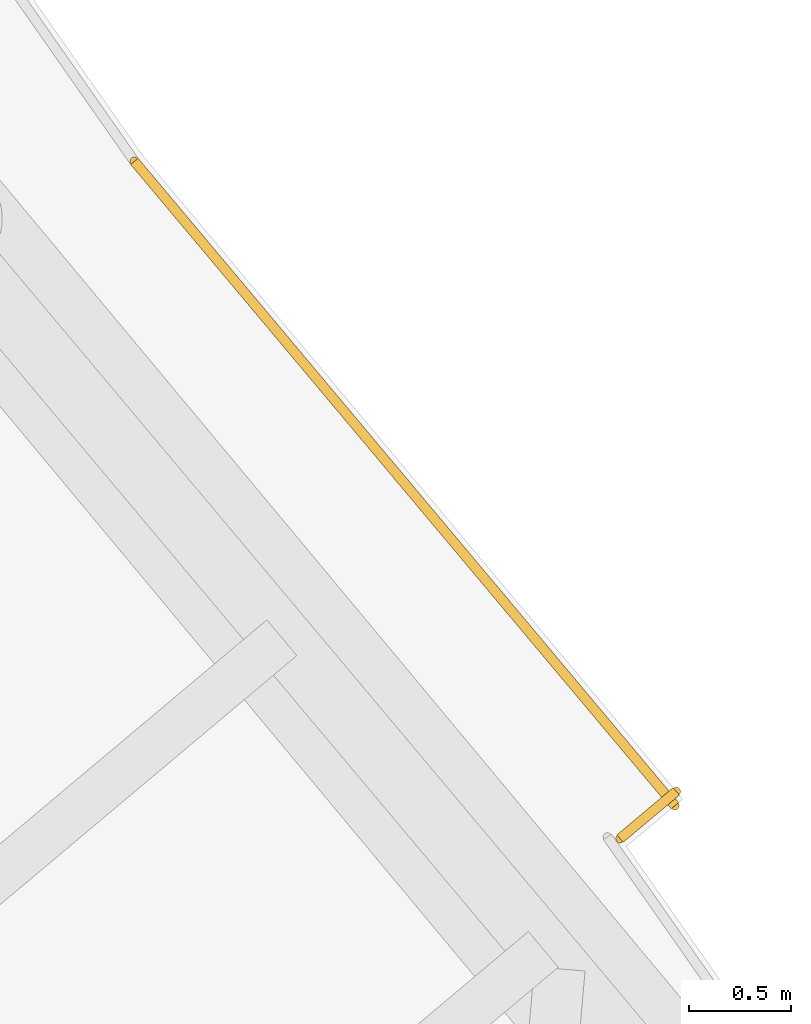
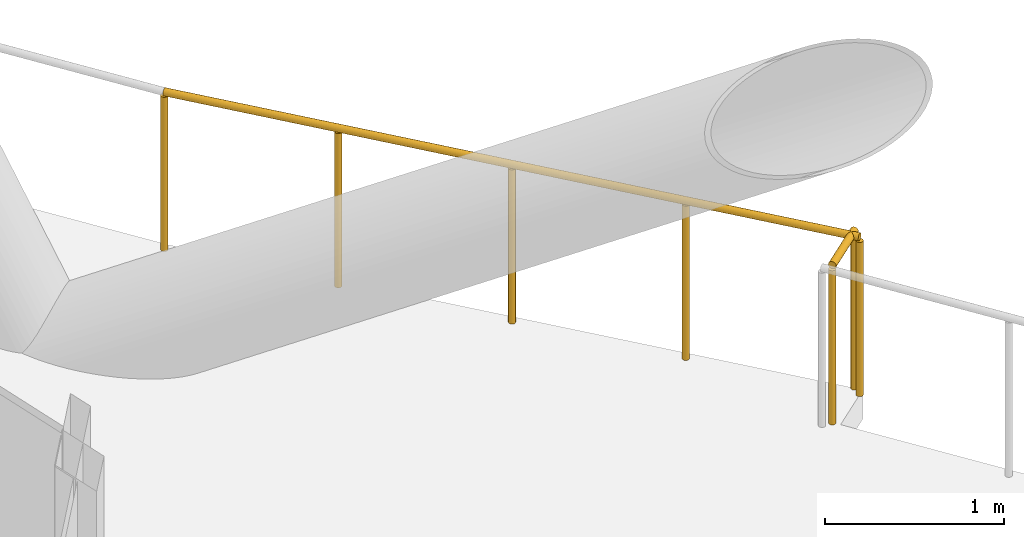
# One storey, part 13 of 15: 2 railings.
"""IFC4 building model written with IfcOpenShell, lengths in metres."""

import ifcopenshell
import ifcopenshell.guid

model = None  # the IFC model being written
_history = None  # IfcOwnerHistory: only IFC2X3 demands one
_inside = {}  # id of a spatial element -> (the spatial element, [elements in it])
_under = {}  # id of a project, library or spatial element -> (it, [spatial elements below it])
_declared = {}  # id of a project -> (the project, [libraries it declares])
_typed = {}  # id of a type object -> (the type object, [elements of that type])
_made_of = {}  # id of a material, layer set ... -> (it, [elements and type objects made of it])


def new_model(schema):
    """Start an empty IFC model of exactly this schema.

    Asked for "IFC4X3", IfcOpenShell would pick the latest addendum, in which some entities
    have other attributes; the version numbers below select the first issue.
    IFC2X3 requires an IfcOwnerHistory on every rooted entity: one is made here for all.
    """
    global model, _history
    if schema == "IFC4X3":
        model = ifcopenshell.file(schema_version=(4, 3, 0, 0))
    else:
        model = ifcopenshell.file(schema=schema)
    _inside.clear()
    _under.clear()
    _declared.clear()
    _typed.clear()
    _made_of.clear()
    _history = None
    if model.schema == "IFC2X3":
        org = make("IfcOrganization", Name="unknown")
        user = make(
            "IfcPersonAndOrganization",
            ThePerson=make("IfcPerson", FamilyName="unknown"),
            TheOrganization=org,
        )
        app = make(
            "IfcApplication",
            ApplicationDeveloper=org,
            Version="unknown",
            ApplicationFullName="unknown",
            ApplicationIdentifier="unknown",
        )
        _history = make(
            "IfcOwnerHistory",
            OwningUser=user,
            OwningApplication=app,
            ChangeAction="ADDED",
            CreationDate=0,
        )
    return model


def make(cls, **values):
    """One entity of the class cls with the attributes given. An attribute that is None is left unset."""
    return model.create_entity(
        cls, **{name: value for name, value in values.items() if value is not None}
    )


def rooted(cls, **values):
    """An entity with a GlobalId (a new one), such as an element, a storey or a relation."""
    return make(cls, GlobalId=ifcopenshell.guid.new(), OwnerHistory=_history, **values)


def si_unit(unit_type, name, prefix=None):
    """IfcSIUnit, for example si_unit("LENGTHUNIT", "METRE", prefix="MILLI")."""
    return make("IfcSIUnit", UnitType=unit_type, Prefix=prefix, Name=name)


def assignment(units):
    """IfcUnitAssignment: the units of a project."""
    return None if units is None else make("IfcUnitAssignment", Units=units)


def point(xyz):
    """IfcCartesianPoint."""
    return None if xyz is None else make("IfcCartesianPoint", Coordinates=xyz)


def direction(xyz):
    """IfcDirection."""
    return None if xyz is None else make("IfcDirection", DirectionRatios=xyz)


def frame(location, z_axis=None, x_axis=None):
    """IfcAxis2Placement3D, a coordinate frame: its origin and axes. An axis left out is left unset."""
    return make(
        "IfcAxis2Placement3D",
        Location=point(location),
        Axis=direction(z_axis),
        RefDirection=direction(x_axis),
    )


def frame_2d(location, x_axis=None):
    """IfcAxis2Placement2D, a coordinate frame in the plane: its origin and x axis."""
    return make(
        "IfcAxis2Placement2D", Location=point(location), RefDirection=direction(x_axis)
    )


def origin():
    """The frame at (0, 0, 0) with its axes left unset."""
    return frame((0.0, 0.0, 0.0))


def origin_2d():
    """The frame at (0, 0) in the plane with its x axis left unset."""
    return frame_2d((0.0, 0.0))


def place(relative_to, where):
    """IfcLocalPlacement: puts the frame where relative to a parent placement (None: the world)."""
    return make(
        "IfcLocalPlacement", PlacementRelTo=relative_to, RelativePlacement=where
    )


def context(
    kind, dimensions, precision=None, world=None, true_north=None, identifier=None
):
    """IfcGeometricRepresentationContext, for example the 3D "Model" context."""
    return make(
        "IfcGeometricRepresentationContext",
        ContextIdentifier=identifier,
        ContextType=kind,
        CoordinateSpaceDimension=dimensions,
        Precision=precision,
        WorldCoordinateSystem=world,
        TrueNorth=true_north,
    )


def subcontext(parent, identifier, kind, view, scale=None):
    """IfcGeometricRepresentationSubContext, for example "Body" below "Model"."""
    return make(
        "IfcGeometricRepresentationSubContext",
        ContextIdentifier=identifier,
        ContextType=kind,
        ParentContext=parent,
        TargetScale=scale,
        TargetView=view,
    )


def project(units=None, contexts=None):
    """IfcProject with its units and contexts."""
    return rooted(
        "IfcProject",
        Name="project",
        RepresentationContexts=contexts,
        UnitsInContext=assignment(units),
    )


def spatial(cls, under=None, at=None, **own):
    """A site, building, storey or space (cls), placed at a placement, below another one or the project."""
    s = rooted(cls, ObjectPlacement=at, **own)
    if under is not None:
        _under.setdefault(under.id(), (under, []))[1].append(s)
    return s


def profile(cls, at=None, kind="AREA", **sizes):
    """A parametric profile (cls). Its sizes go by their IFC names, for example OverallWidth=200.0."""
    return make(cls, ProfileType=kind, Position=at, **sizes)


def circle(**sizes):
    """IfcCircleProfileDef."""
    return profile("IfcCircleProfileDef", **sizes)


def extrude(swept, where, along, depth):
    """IfcExtrudedAreaSolid: the profile swept, set in the frame where, extruded along a direction by depth."""
    return make(
        "IfcExtrudedAreaSolid",
        SweptArea=swept,
        Position=where,
        ExtrudedDirection=direction(along),
        Depth=depth,
    )


def shape(context_of_items, identifier, shape_type, items):
    """IfcShapeRepresentation: the items that make up one representation, for example the "Body"."""
    return make(
        "IfcShapeRepresentation",
        ContextOfItems=context_of_items,
        RepresentationIdentifier=identifier,
        RepresentationType=shape_type,
        Items=items,
    )


def material(Name=None, Category=None):
    """IfcMaterial."""
    return make("IfcMaterial", Name=Name, Category=Category)


def made_of(thing, what):
    """Note that an element or type object is made of a material, layer set ...; save() writes the relation."""
    if what is not None:
        _made_of.setdefault(what.id(), (what, []))[1].append(thing)
    return thing


def type_object(cls, material=None, **own):
    """A type object (cls), such as IfcWallType, which elements share."""
    return made_of(rooted(cls, **own), material)


def element(
    cls,
    number,
    at=None,
    inside=None,
    cuts=None,
    type_object=None,
    material=None,
    context=None,
    identifier="Body",
    shape_type=None,
    held_by="IfcProductDefinitionShape",
    body=None,
    shapes=None,
    **own,
):
    """One element of the class cls, such as IfcWall. Its Tag is "e" and its number.

    at: its placement. inside: the storey or other place that contains it. cuts: it is an
    opening in that element (IfcRelVoidsElement). A single representation is given by context,
    identifier, shape_type and body (its items); several are given by shapes. held_by: the class
    of the entity that holds the representations. save() writes the other relations.
    """
    e = rooted(cls, Tag="e%d" % number, ObjectPlacement=at, **own)
    if body is not None:
        shapes = [shape(context, identifier, shape_type, body)]
    if shapes is not None:
        e.Representation = make(held_by, Representations=shapes)
    if inside is not None:
        _inside.setdefault(inside.id(), (inside, []))[1].append(e)
    if cuts is not None:
        rooted(
            "IfcRelVoidsElement", RelatingBuildingElement=cuts, RelatedOpeningElement=e
        )
    if type_object is not None:
        _typed.setdefault(type_object.id(), (type_object, []))[1].append(e)
    return made_of(e, material)


def aggregate(whole, parts):
    """IfcRelAggregates: a whole, such as a stair, and the parts it consists of."""
    return rooted("IfcRelAggregates", RelatingObject=whole, RelatedObjects=parts)


def save(model, path):
    """Write the relations noted so far, then the file.

    IfcRelAggregates (storeys below a building ...), IfcRelContainedInSpatialStructure (elements
    in a storey), IfcRelDefinesByType, IfcRelAssociatesMaterial and IfcRelDeclares: one each for
    every whole, place, type object, material and project.
    """
    for whole, parts in _under.values():
        aggregate(whole, parts)
    for where, things in _inside.values():
        rooted(
            "IfcRelContainedInSpatialStructure",
            RelatedElements=things,
            RelatingStructure=where,
        )
    for kind, things in _typed.values():
        rooted("IfcRelDefinesByType", RelatedObjects=things, RelatingType=kind)
    for what, things in _made_of.values():
        rooted("IfcRelAssociatesMaterial", RelatedObjects=things, RelatingMaterial=what)
    for by, libraries in _declared.values():
        rooted("IfcRelDeclares", RelatingContext=by, RelatedDefinitions=libraries)
    model.write(path)


model = new_model("IFC4")

# Units and contexts
model_context = context("Model", 3, precision=1e-05, world=origin(), true_north=direction((0.0, 1.0)))
body_context = subcontext(model_context, "Body", "Model", "MODEL_VIEW")
ifc_project = project(units=[si_unit("LENGTHUNIT", "METRE"), si_unit("AREAUNIT", "SQUARE_METRE"), si_unit("VOLUMEUNIT", "CUBIC_METRE"), si_unit("PLANEANGLEUNIT", "RADIAN"), si_unit("MASSUNIT", "GRAM", prefix="KILO")], contexts=[model_context])

# Site, building, storey
site_placement = place(None, origin())
site = spatial("IfcSite", under=ifc_project, at=site_placement, CompositionType="ELEMENT")
building_placement = place(site_placement, origin())
building = spatial("IfcBuilding", under=site, at=building_placement, Name="Torsade Residences", CompositionType="ELEMENT")
storey_placement = place(building_placement, frame((0.0, 0.0, 267.60009765625)))
storey = spatial("IfcBuildingStorey", under=building, at=storey_placement, Name="L74", CompositionType="ELEMENT", Elevation=267.60009765625)

# Railings
ifc_material = material(Name="Galvanised steel guard rail", Category="steel")
railing_type = type_object("IfcRailingType", Name="ROOF EDGE GUARD 1100", PredefinedType="GUARDRAIL", material=ifc_material)
railing_1_placement = place(storey_placement, frame((66.0009765625, 30.343505859375, 0.0)))
element("IfcRailing", 1, at=railing_1_placement, inside=storey, type_object=railing_type, Name="Roof edge guard L74 5", PredefinedType="GUARDRAIL", context=body_context, shape_type="SweptSolid", body=[
    extrude(circle(Radius=0.02392578125, at=origin_2d()), frame((0.0, 0.0, 1.076171875), z_axis=(0.766223737167, 0.64257387482, 0.0), x_axis=(-0.64257387482, 0.766223737167, 0.0)), (0.0, 0.0, 1.0), 0.361328125),
    extrude(circle(Radius=0.02099609375, at=origin_2d()), origin(), (0.0, 0.0, 1.0), 1.052001953125),
    extrude(circle(Radius=0.02099609375, at=origin_2d()), frame((0.27685546875, 0.232177734375, 0.0)), (0.0, 0.0, 1.0), 1.052001953125),
])
railing_2_placement = place(storey_placement, frame((66.271484375, 30.50537109375, 0.0)))
element("IfcRailing", 2, at=railing_2_placement, inside=storey, type_object=railing_type, Name="Roof edge guard L74 6", PredefinedType="GUARDRAIL", context=body_context, shape_type="SweptSolid", body=[
    extrude(circle(Radius=0.02392578125, at=origin_2d()), frame((0.0, 0.0, 1.076171875), z_axis=(-0.642782177056, 0.766049001605, 0.0), x_axis=(-0.766049001605, -0.642782177056, 0.0)), (0.0, 0.0, 1.0), 4.135498046875),
    extrude(circle(Radius=0.02099609375, at=origin_2d()), origin(), (0.0, 0.0, 1.0), 1.052001953125),
    extrude(circle(Radius=0.02099609375, at=origin_2d()), frame((-0.66455078125, 0.7919921875, 0.0)), (0.0, 0.0, 1.0), 1.052001953125),
    extrude(circle(Radius=0.02099609375, at=origin_2d()), frame((-1.3291015625, 1.583984375, 0.0)), (0.0, 0.0, 1.0), 1.052001953125),
    extrude(circle(Radius=0.02099609375, at=origin_2d()), frame((-1.99365234375, 2.3759765625, 0.0)), (0.0, 0.0, 1.0), 1.052001953125),
    extrude(circle(Radius=0.02099609375, at=origin_2d()), frame((-2.658203125, 3.16796875, 0.0)), (0.0, 0.0, 1.0), 1.052001953125),
])

save(model, "model.ifc")
